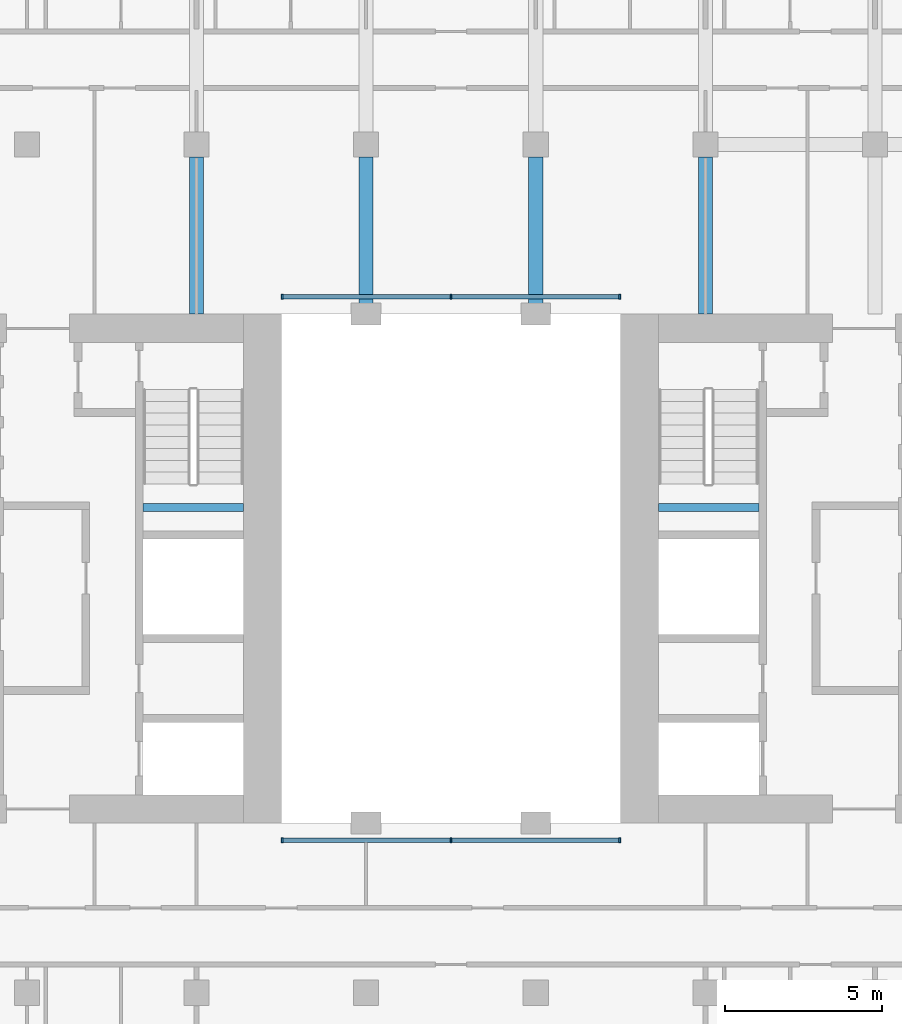
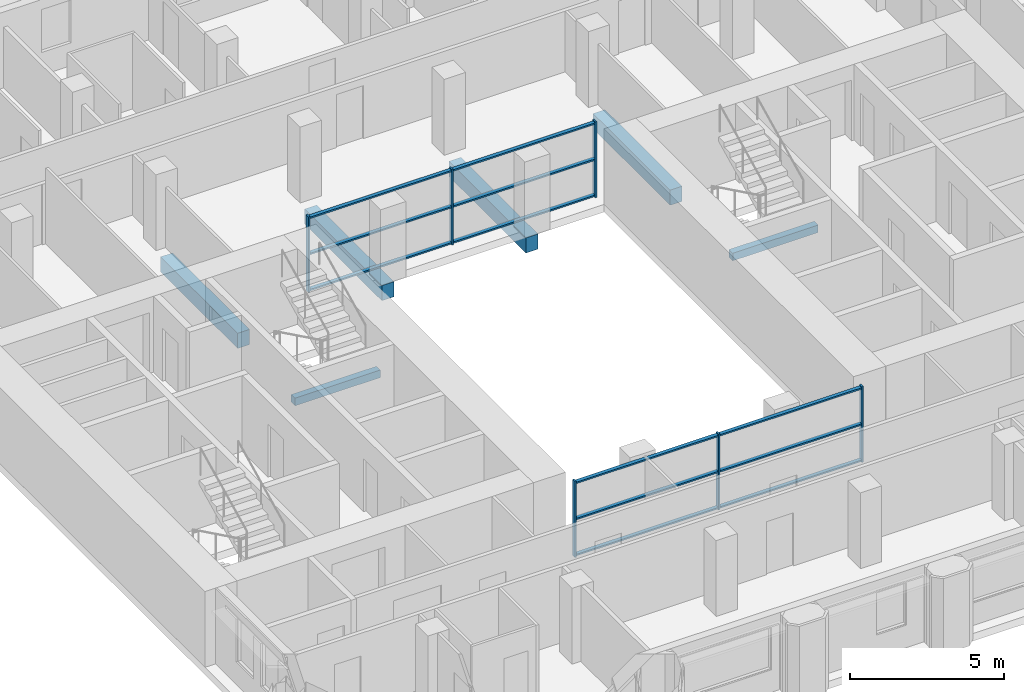
# One storey, part 2 of 12: 18 members, 6 beams, 2 elements without a shape of their own.
"""IFC4 building model written with IfcOpenShell, lengths in metres."""

import ifcopenshell
import ifcopenshell.guid

model = None  # the IFC model being written
_history = None  # IfcOwnerHistory: only IFC2X3 demands one
_inside = {}  # id of a spatial element -> (the spatial element, [elements in it])
_under = {}  # id of a project, library or spatial element -> (it, [spatial elements below it])
_declared = {}  # id of a project -> (the project, [libraries it declares])
_typed = {}  # id of a type object -> (the type object, [elements of that type])
_made_of = {}  # id of a material, layer set ... -> (it, [elements and type objects made of it])


def new_model(schema):
    """Start an empty IFC model of exactly this schema.

    Asked for "IFC4X3", IfcOpenShell would pick the latest addendum, in which some entities
    have other attributes; the version numbers below select the first issue.
    IFC2X3 requires an IfcOwnerHistory on every rooted entity: one is made here for all.
    """
    global model, _history
    if schema == "IFC4X3":
        model = ifcopenshell.file(schema_version=(4, 3, 0, 0))
    else:
        model = ifcopenshell.file(schema=schema)
    _inside.clear()
    _under.clear()
    _declared.clear()
    _typed.clear()
    _made_of.clear()
    _history = None
    if model.schema == "IFC2X3":
        org = make("IfcOrganization", Name="unknown")
        user = make(
            "IfcPersonAndOrganization",
            ThePerson=make("IfcPerson", FamilyName="unknown"),
            TheOrganization=org,
        )
        app = make(
            "IfcApplication",
            ApplicationDeveloper=org,
            Version="unknown",
            ApplicationFullName="unknown",
            ApplicationIdentifier="unknown",
        )
        _history = make(
            "IfcOwnerHistory",
            OwningUser=user,
            OwningApplication=app,
            ChangeAction="ADDED",
            CreationDate=0,
        )
    return model


def make(cls, **values):
    """One entity of the class cls with the attributes given. An attribute that is None is left unset."""
    return model.create_entity(
        cls, **{name: value for name, value in values.items() if value is not None}
    )


def rooted(cls, **values):
    """An entity with a GlobalId (a new one), such as an element, a storey or a relation."""
    return make(cls, GlobalId=ifcopenshell.guid.new(), OwnerHistory=_history, **values)


def si_unit(unit_type, name, prefix=None):
    """IfcSIUnit, for example si_unit("LENGTHUNIT", "METRE", prefix="MILLI")."""
    return make("IfcSIUnit", UnitType=unit_type, Prefix=prefix, Name=name)


def assignment(units):
    """IfcUnitAssignment: the units of a project."""
    return None if units is None else make("IfcUnitAssignment", Units=units)


def point(xyz):
    """IfcCartesianPoint."""
    return None if xyz is None else make("IfcCartesianPoint", Coordinates=xyz)


def direction(xyz):
    """IfcDirection."""
    return None if xyz is None else make("IfcDirection", DirectionRatios=xyz)


def frame(location, z_axis=None, x_axis=None):
    """IfcAxis2Placement3D, a coordinate frame: its origin and axes. An axis left out is left unset."""
    return make(
        "IfcAxis2Placement3D",
        Location=point(location),
        Axis=direction(z_axis),
        RefDirection=direction(x_axis),
    )


def frame_2d(location, x_axis=None):
    """IfcAxis2Placement2D, a coordinate frame in the plane: its origin and x axis."""
    return make(
        "IfcAxis2Placement2D", Location=point(location), RefDirection=direction(x_axis)
    )


def origin():
    """The frame at (0, 0, 0) with its axes left unset."""
    return frame((0.0, 0.0, 0.0))


def origin_2d():
    """The frame at (0, 0) in the plane with its x axis left unset."""
    return frame_2d((0.0, 0.0))


def place(relative_to, where):
    """IfcLocalPlacement: puts the frame where relative to a parent placement (None: the world)."""
    return make(
        "IfcLocalPlacement", PlacementRelTo=relative_to, RelativePlacement=where
    )


def context(
    kind, dimensions, precision=None, world=None, true_north=None, identifier=None
):
    """IfcGeometricRepresentationContext, for example the 3D "Model" context."""
    return make(
        "IfcGeometricRepresentationContext",
        ContextIdentifier=identifier,
        ContextType=kind,
        CoordinateSpaceDimension=dimensions,
        Precision=precision,
        WorldCoordinateSystem=world,
        TrueNorth=true_north,
    )


def subcontext(parent, identifier, kind, view, scale=None):
    """IfcGeometricRepresentationSubContext, for example "Body" below "Model"."""
    return make(
        "IfcGeometricRepresentationSubContext",
        ContextIdentifier=identifier,
        ContextType=kind,
        ParentContext=parent,
        TargetScale=scale,
        TargetView=view,
    )


def project(units=None, contexts=None):
    """IfcProject with its units and contexts."""
    return rooted(
        "IfcProject",
        Name="project",
        RepresentationContexts=contexts,
        UnitsInContext=assignment(units),
    )


def spatial(cls, under=None, at=None, **own):
    """A site, building, storey or space (cls), placed at a placement, below another one or the project."""
    s = rooted(cls, ObjectPlacement=at, **own)
    if under is not None:
        _under.setdefault(under.id(), (under, []))[1].append(s)
    return s


def profile(cls, at=None, kind="AREA", **sizes):
    """A parametric profile (cls). Its sizes go by their IFC names, for example OverallWidth=200.0."""
    return make(cls, ProfileType=kind, Position=at, **sizes)


def rectangle(**sizes):
    """IfcRectangleProfileDef."""
    return profile("IfcRectangleProfileDef", **sizes)


def extrude(swept, where, along, depth):
    """IfcExtrudedAreaSolid: the profile swept, set in the frame where, extruded along a direction by depth."""
    return make(
        "IfcExtrudedAreaSolid",
        SweptArea=swept,
        Position=where,
        ExtrudedDirection=direction(along),
        Depth=depth,
    )


def shape(context_of_items, identifier, shape_type, items):
    """IfcShapeRepresentation: the items that make up one representation, for example the "Body"."""
    return make(
        "IfcShapeRepresentation",
        ContextOfItems=context_of_items,
        RepresentationIdentifier=identifier,
        RepresentationType=shape_type,
        Items=items,
    )


def material(Name=None, Category=None):
    """IfcMaterial."""
    return make("IfcMaterial", Name=Name, Category=Category)


def material_profile(
    of_material, cross_section, Name=None, Category=None, Priority=None
):
    """IfcMaterialProfile: a cross section and its material."""
    return make(
        "IfcMaterialProfile",
        Name=Name,
        Material=of_material,
        Profile=cross_section,
        Priority=Priority,
        Category=Category,
    )


def profile_set(profiles, Name=None, composite=None):
    """IfcMaterialProfileSet."""
    return make(
        "IfcMaterialProfileSet",
        Name=Name,
        MaterialProfiles=profiles,
        CompositeProfile=composite,
    )


def made_of(thing, what):
    """Note that an element or type object is made of a material, layer set ...; save() writes the relation."""
    if what is not None:
        _made_of.setdefault(what.id(), (what, []))[1].append(thing)
    return thing


def type_object(cls, material=None, **own):
    """A type object (cls), such as IfcWallType, which elements share."""
    return made_of(rooted(cls, **own), material)


def element(
    cls,
    number,
    at=None,
    inside=None,
    cuts=None,
    type_object=None,
    material=None,
    context=None,
    identifier="Body",
    shape_type=None,
    held_by="IfcProductDefinitionShape",
    body=None,
    shapes=None,
    **own,
):
    """One element of the class cls, such as IfcWall. Its Tag is "e" and its number.

    at: its placement. inside: the storey or other place that contains it. cuts: it is an
    opening in that element (IfcRelVoidsElement). A single representation is given by context,
    identifier, shape_type and body (its items); several are given by shapes. held_by: the class
    of the entity that holds the representations. save() writes the other relations.
    """
    e = rooted(cls, Tag="e%d" % number, ObjectPlacement=at, **own)
    if body is not None:
        shapes = [shape(context, identifier, shape_type, body)]
    if shapes is not None:
        e.Representation = make(held_by, Representations=shapes)
    if inside is not None:
        _inside.setdefault(inside.id(), (inside, []))[1].append(e)
    if cuts is not None:
        rooted(
            "IfcRelVoidsElement", RelatingBuildingElement=cuts, RelatedOpeningElement=e
        )
    if type_object is not None:
        _typed.setdefault(type_object.id(), (type_object, []))[1].append(e)
    return made_of(e, material)


def aggregate(whole, parts):
    """IfcRelAggregates: a whole, such as a stair, and the parts it consists of."""
    return rooted("IfcRelAggregates", RelatingObject=whole, RelatedObjects=parts)


def save(model, path):
    """Write the relations noted so far, then the file.

    IfcRelAggregates (storeys below a building ...), IfcRelContainedInSpatialStructure (elements
    in a storey), IfcRelDefinesByType, IfcRelAssociatesMaterial and IfcRelDeclares: one each for
    every whole, place, type object, material and project.
    """
    for whole, parts in _under.values():
        aggregate(whole, parts)
    for where, things in _inside.values():
        rooted(
            "IfcRelContainedInSpatialStructure",
            RelatedElements=things,
            RelatingStructure=where,
        )
    for kind, things in _typed.values():
        rooted("IfcRelDefinesByType", RelatedObjects=things, RelatingType=kind)
    for what, things in _made_of.values():
        rooted("IfcRelAssociatesMaterial", RelatedObjects=things, RelatingMaterial=what)
    for by, libraries in _declared.values():
        rooted("IfcRelDeclares", RelatingContext=by, RelatedDefinitions=libraries)
    model.write(path)


model = new_model("IFC4")

# Units and contexts
model_context = context("Model", 3, precision=1e-05, world=origin(), true_north=direction((0.0, 1.0)))
body_context = subcontext(model_context, "Body", "Model", "MODEL_VIEW")
ifc_project = project(units=[si_unit("LENGTHUNIT", "METRE"), si_unit("AREAUNIT", "SQUARE_METRE"), si_unit("VOLUMEUNIT", "CUBIC_METRE"), si_unit("PLANEANGLEUNIT", "RADIAN"), si_unit("MASSUNIT", "GRAM", prefix="KILO")], contexts=[model_context])

# Site, building, storey
site_placement = place(None, origin())
site = spatial("IfcSite", under=ifc_project, at=site_placement, CompositionType="ELEMENT")
building_placement = place(site_placement, origin())
building = spatial("IfcBuilding", under=site, at=building_placement, Name="Tabaq Tower and Sports Hall", CompositionType="ELEMENT")
storey_placement = place(building_placement, frame((0.0, 0.0, 197.199951171875)))
storey = spatial("IfcBuildingStorey", under=building, at=storey_placement, Name="L48", CompositionType="ELEMENT", Elevation=197.199951171875)

# Curtain wall, members
ifc_material_1 = material(Name="Aluminium alloy 6063-T6 framed glazing", Category="aluminium")
curtain_wall_type = type_object("IfcCurtainWallType", Name="CW1 curtain wall", PredefinedType="USERDEFINED", material=ifc_material_1)
curtain_wall_1_placement = place(storey_placement, origin())
curtain_wall_1 = element("IfcCurtainWall", 1, at=curtain_wall_1_placement, inside=storey, type_object=curtain_wall_type, Name="Atrium glazing L48 S", ObjectType="ATRIUM ENCLOSURE", PredefinedType="USERDEFINED")
ifc_material_2 = material(Name="Aluminium alloy 6063-T6", Category="aluminium")
ifc_material_profile_1 = material_profile(ifc_material_2, rectangle(XDim=0.159912109375, YDim=0.06005859375, at=origin_2d()), Name="MULLION 160x60")
ifc_profile_set_1 = profile_set([ifc_material_profile_1], Name="Aluminium alloy 6063-T6")
member_type_1 = type_object("IfcMemberType", Name="CW1 mullion 160x60", PredefinedType="MULLION", material=ifc_profile_set_1)
member_1_placement = place(storey_placement, frame((18.929931640625, 15.64990234375, 0.0), z_axis=(0.0, 0.0, 1.0), x_axis=(0.0, 1.0, 0.0)))
member_1 = element("IfcMember", 2, at=member_1_placement, type_object=member_type_1, Name="CW1 mullion 1", PredefinedType="MULLION", context=body_context, shape_type="SweptSolid", body=[
    extrude(rectangle(XDim=0.159912109375, YDim=0.06005859375, at=origin_2d()), origin(), (0.0, 0.0, 1.0), 3.0),
])
member_2_placement = place(storey_placement, frame((24.300048828125, 15.64990234375, 0.0), z_axis=(0.0, 0.0, 1.0), x_axis=(0.0, 1.0, 0.0)))
member_2 = element("IfcMember", 3, at=member_2_placement, type_object=member_type_1, Name="CW1 mullion 2", PredefinedType="MULLION", context=body_context, shape_type="SweptSolid", body=[
    extrude(rectangle(XDim=0.159912109375, YDim=0.06005859375, at=origin_2d()), origin(), (0.0, 0.0, 1.0), 3.0),
])
member_3_placement = place(storey_placement, frame((29.669921875, 15.64990234375, 0.0), z_axis=(0.0, 0.0, 1.0), x_axis=(0.0, 1.0, 0.0)))
member_3 = element("IfcMember", 4, at=member_3_placement, type_object=member_type_1, Name="CW1 mullion 3", PredefinedType="MULLION", context=body_context, shape_type="SweptSolid", body=[
    extrude(rectangle(XDim=0.159912109375, YDim=0.06005859375, at=origin_2d()), origin(), (0.0, 0.0, 1.0), 3.0),
])

curtain_wall_2_placement = place(storey_placement, origin())
curtain_wall_2 = element("IfcCurtainWall", 5, at=curtain_wall_2_placement, inside=storey, type_object=curtain_wall_type, Name="Atrium glazing L48 N", ObjectType="ATRIUM ENCLOSURE", PredefinedType="USERDEFINED")
member_4_placement = place(storey_placement, frame((18.929931640625, 32.949951171875, 0.0), z_axis=(0.0, 0.0, 1.0), x_axis=(0.0, 1.0, 0.0)))
member_4 = element("IfcMember", 6, at=member_4_placement, type_object=member_type_1, Name="CW1 mullion 1", PredefinedType="MULLION", context=body_context, shape_type="SweptSolid", body=[
    extrude(rectangle(XDim=0.159912109375, YDim=0.06005859375, at=origin_2d()), origin(), (0.0, 0.0, 1.0), 3.0),
])
member_5_placement = place(storey_placement, frame((24.300048828125, 32.949951171875, 0.0), z_axis=(0.0, 0.0, 1.0), x_axis=(0.0, 1.0, 0.0)))
member_5 = element("IfcMember", 7, at=member_5_placement, type_object=member_type_1, Name="CW1 mullion 2", PredefinedType="MULLION", context=body_context, shape_type="SweptSolid", body=[
    extrude(rectangle(XDim=0.159912109375, YDim=0.06005859375, at=origin_2d()), origin(), (0.0, 0.0, 1.0), 3.0),
])
member_6_placement = place(storey_placement, frame((29.669921875, 32.949951171875, 0.0), z_axis=(0.0, 0.0, 1.0), x_axis=(0.0, 1.0, 0.0)))
member_6 = element("IfcMember", 8, at=member_6_placement, type_object=member_type_1, Name="CW1 mullion 3", PredefinedType="MULLION", context=body_context, shape_type="SweptSolid", body=[
    extrude(rectangle(XDim=0.159912109375, YDim=0.06005859375, at=origin_2d()), origin(), (0.0, 0.0, 1.0), 3.0),
])

# Member
ifc_material_3 = material(Name="Aluminium alloy 6063-T6", Category="aluminium")
ifc_material_profile_2 = material_profile(ifc_material_3, rectangle(XDim=0.139892578125, YDim=0.06005859375, at=origin_2d()), Name="TRANSOM 140x60")
ifc_profile_set_2 = profile_set([ifc_material_profile_2], Name="Aluminium alloy 6063-T6")
member_type_2 = type_object("IfcMemberType", Name="CW1 transom 140x60", PredefinedType="USERDEFINED", material=ifc_profile_set_2)
member_7_placement = place(storey_placement, frame((18.9599609375, 15.64990234375, 0.070068359375), z_axis=(1.0, 0.0, 0.0), x_axis=(0.0, 1.0, 0.0)))
member_7 = element("IfcMember", 9, at=member_7_placement, type_object=member_type_2, Name="CW1 transom 1.1", ObjectType="TRANSOM", PredefinedType="USERDEFINED", context=body_context, shape_type="SweptSolid", body=[
    extrude(rectangle(XDim=0.139892578125, YDim=0.06005859375, at=origin_2d()), origin(), (0.0, 0.0, 1.0), 5.31005859375),
])

member_8_placement = place(storey_placement, frame((18.9599609375, 15.64990234375, 1.5), z_axis=(1.0, 0.0, 0.0), x_axis=(0.0, 1.0, 0.0)))
member_8 = element("IfcMember", 10, at=member_8_placement, type_object=member_type_2, Name="CW1 transom 1.2", ObjectType="TRANSOM", PredefinedType="USERDEFINED", context=body_context, shape_type="SweptSolid", body=[
    extrude(rectangle(XDim=0.139892578125, YDim=0.06005859375, at=origin_2d()), origin(), (0.0, 0.0, 1.0), 5.31005859375),
])

member_9_placement = place(storey_placement, frame((18.9599609375, 15.64990234375, 2.929931640625), z_axis=(1.0, 0.0, 0.0), x_axis=(0.0, 1.0, 0.0)))
member_9 = element("IfcMember", 11, at=member_9_placement, type_object=member_type_2, Name="CW1 transom 1.3", ObjectType="TRANSOM", PredefinedType="USERDEFINED", context=body_context, shape_type="SweptSolid", body=[
    extrude(rectangle(XDim=0.139892578125, YDim=0.06005859375, at=origin_2d()), origin(), (0.0, 0.0, 1.0), 5.31005859375),
])

member_10_placement = place(storey_placement, frame((24.330078125, 15.64990234375, 0.070068359375), z_axis=(1.0, 0.0, 0.0), x_axis=(0.0, 1.0, 0.0)))
member_10 = element("IfcMember", 12, at=member_10_placement, type_object=member_type_2, Name="CW1 transom 2.1", ObjectType="TRANSOM", PredefinedType="USERDEFINED", context=body_context, shape_type="SweptSolid", body=[
    extrude(rectangle(XDim=0.139892578125, YDim=0.06005859375, at=origin_2d()), origin(), (0.0, 0.0, 1.0), 5.309814453125),
])

member_11_placement = place(storey_placement, frame((24.330078125, 15.64990234375, 1.5), z_axis=(1.0, 0.0, 0.0), x_axis=(0.0, 1.0, 0.0)))
member_11 = element("IfcMember", 13, at=member_11_placement, type_object=member_type_2, Name="CW1 transom 2.2", ObjectType="TRANSOM", PredefinedType="USERDEFINED", context=body_context, shape_type="SweptSolid", body=[
    extrude(rectangle(XDim=0.139892578125, YDim=0.06005859375, at=origin_2d()), origin(), (0.0, 0.0, 1.0), 5.309814453125),
])

member_12_placement = place(storey_placement, frame((24.330078125, 15.64990234375, 2.929931640625), z_axis=(1.0, 0.0, 0.0), x_axis=(0.0, 1.0, 0.0)))
member_12 = element("IfcMember", 14, at=member_12_placement, type_object=member_type_2, Name="CW1 transom 2.3", ObjectType="TRANSOM", PredefinedType="USERDEFINED", context=body_context, shape_type="SweptSolid", body=[
    extrude(rectangle(XDim=0.139892578125, YDim=0.06005859375, at=origin_2d()), origin(), (0.0, 0.0, 1.0), 5.309814453125),
])

aggregate(curtain_wall_1, [member_1, member_2, member_3, member_7, member_8, member_9, member_10, member_11, member_12])

member_13_placement = place(storey_placement, frame((18.9599609375, 32.949951171875, 0.070068359375), z_axis=(1.0, 0.0, 0.0), x_axis=(0.0, 1.0, 0.0)))
member_13 = element("IfcMember", 15, at=member_13_placement, type_object=member_type_2, Name="CW1 transom 1.1", ObjectType="TRANSOM", PredefinedType="USERDEFINED", context=body_context, shape_type="SweptSolid", body=[
    extrude(rectangle(XDim=0.139892578125, YDim=0.06005859375, at=origin_2d()), origin(), (0.0, 0.0, 1.0), 5.31005859375),
])

member_14_placement = place(storey_placement, frame((18.9599609375, 32.949951171875, 1.5), z_axis=(1.0, 0.0, 0.0), x_axis=(0.0, 1.0, 0.0)))
member_14 = element("IfcMember", 16, at=member_14_placement, type_object=member_type_2, Name="CW1 transom 1.2", ObjectType="TRANSOM", PredefinedType="USERDEFINED", context=body_context, shape_type="SweptSolid", body=[
    extrude(rectangle(XDim=0.139892578125, YDim=0.06005859375, at=origin_2d()), origin(), (0.0, 0.0, 1.0), 5.31005859375),
])

member_15_placement = place(storey_placement, frame((18.9599609375, 32.949951171875, 2.929931640625), z_axis=(1.0, 0.0, 0.0), x_axis=(0.0, 1.0, 0.0)))
member_15 = element("IfcMember", 17, at=member_15_placement, type_object=member_type_2, Name="CW1 transom 1.3", ObjectType="TRANSOM", PredefinedType="USERDEFINED", context=body_context, shape_type="SweptSolid", body=[
    extrude(rectangle(XDim=0.139892578125, YDim=0.06005859375, at=origin_2d()), origin(), (0.0, 0.0, 1.0), 5.31005859375),
])

member_16_placement = place(storey_placement, frame((24.330078125, 32.949951171875, 0.070068359375), z_axis=(1.0, 0.0, 0.0), x_axis=(0.0, 1.0, 0.0)))
member_16 = element("IfcMember", 18, at=member_16_placement, type_object=member_type_2, Name="CW1 transom 2.1", ObjectType="TRANSOM", PredefinedType="USERDEFINED", context=body_context, shape_type="SweptSolid", body=[
    extrude(rectangle(XDim=0.139892578125, YDim=0.06005859375, at=origin_2d()), origin(), (0.0, 0.0, 1.0), 5.309814453125),
])

member_17_placement = place(storey_placement, frame((24.330078125, 32.949951171875, 1.5), z_axis=(1.0, 0.0, 0.0), x_axis=(0.0, 1.0, 0.0)))
member_17 = element("IfcMember", 19, at=member_17_placement, type_object=member_type_2, Name="CW1 transom 2.2", ObjectType="TRANSOM", PredefinedType="USERDEFINED", context=body_context, shape_type="SweptSolid", body=[
    extrude(rectangle(XDim=0.139892578125, YDim=0.06005859375, at=origin_2d()), origin(), (0.0, 0.0, 1.0), 5.309814453125),
])

member_18_placement = place(storey_placement, frame((24.330078125, 32.949951171875, 2.929931640625), z_axis=(1.0, 0.0, 0.0), x_axis=(0.0, 1.0, 0.0)))
member_18 = element("IfcMember", 20, at=member_18_placement, type_object=member_type_2, Name="CW1 transom 2.3", ObjectType="TRANSOM", PredefinedType="USERDEFINED", context=body_context, shape_type="SweptSolid", body=[
    extrude(rectangle(XDim=0.139892578125, YDim=0.06005859375, at=origin_2d()), origin(), (0.0, 0.0, 1.0), 5.309814453125),
])

aggregate(curtain_wall_2, [member_4, member_5, member_6, member_13, member_14, member_15, member_16, member_17, member_18])

# Beams
ifc_material_4 = material(Name="Concrete C40/50", Category="concrete")
ifc_material_profile_3 = material_profile(ifc_material_4, rectangle(XDim=0.449951171875, YDim=0.60009765625, at=origin_2d()), Name="CB 450x600")
ifc_profile_set_3 = profile_set([ifc_material_profile_3], Name="Concrete C40/50")
beam_type_1 = type_object("IfcBeamType", Name="PT CANTILEVER BEAM CB 450x600 C40/50", PredefinedType="BEAM", material=ifc_profile_set_3)
for number, where, z_axis, x_axis, name in (
    (21, (16.199951171875, 37.39990234375, -0.599853515625), (0.0, -1.0, 0.0), (1.0, 0.0, 0.0), "Cantilever Beam L48 N3 span 3"),
    (22, (21.60009765625, 37.39990234375, -0.599853515625), (0.0, -1.0, 0.0), (1.0, 0.0, 0.0), "Cantilever Beam L48 N4 span 3"),
    (23, (27.0, 37.39990234375, -0.599853515625), (0.0, -1.0, 0.0), (1.0, 0.0, 0.0), "Cantilever Beam L48 N5 span 3"),
    (24, (32.39990234375, 37.39990234375, -0.599853515625), (0.0, -1.0, 0.0), (1.0, 0.0, 0.0), "Cantilever Beam L48 N6 span 3"),
):
    element("IfcBeam", number, at=place(storey_placement, frame(where, z_axis=z_axis, x_axis=x_axis)), inside=storey, type_object=beam_type_1, Name=name, PredefinedType="BEAM", context=body_context, shape_type="SweptSolid", body=[
        extrude(rectangle(XDim=0.449951171875, YDim=0.60009765625, at=origin_2d()), origin(), (0.0, 0.0, 1.0), 5.0),
    ])
ifc_material_5 = material(Name="Concrete C40/50", Category="concrete")
ifc_material_profile_4 = material_profile(ifc_material_5, rectangle(XDim=0.25, YDim=0.300048828125, at=origin_2d()), Name="RC 250x300")
ifc_profile_set_4 = profile_set([ifc_material_profile_4], Name="Concrete C40/50")
beam_type_2 = type_object("IfcBeamType", Name="Stair landing beam 250x300", PredefinedType="BEAM", material=ifc_profile_set_4)
beam_1_placement = place(storey_placement, frame((14.5, 26.25, 1.300048828125), z_axis=(1.0, 0.0, 0.0), x_axis=(0.0, 1.0, 0.0)))
element("IfcBeam", 25, at=beam_1_placement, inside=storey, type_object=beam_type_2, Name="L48 ST2 landing beam 1", PredefinedType="BEAM", context=body_context, shape_type="SweptSolid", body=[
    extrude(rectangle(XDim=0.25, YDim=0.300048828125, at=origin_2d()), origin(), (0.0, 0.0, 1.0), 3.199951171875),
])
beam_2_placement = place(storey_placement, frame((30.89990234375, 26.25, 1.300048828125), z_axis=(1.0, 0.0, 0.0), x_axis=(0.0, 1.0, 0.0)))
element("IfcBeam", 26, at=beam_2_placement, inside=storey, type_object=beam_type_2, Name="L48 ST4 landing beam 1", PredefinedType="BEAM", context=body_context, shape_type="SweptSolid", body=[
    extrude(rectangle(XDim=0.25, YDim=0.300048828125, at=origin_2d()), origin(), (0.0, 0.0, 1.0), 3.2001953125),
])

save(model, "model.ifc")
